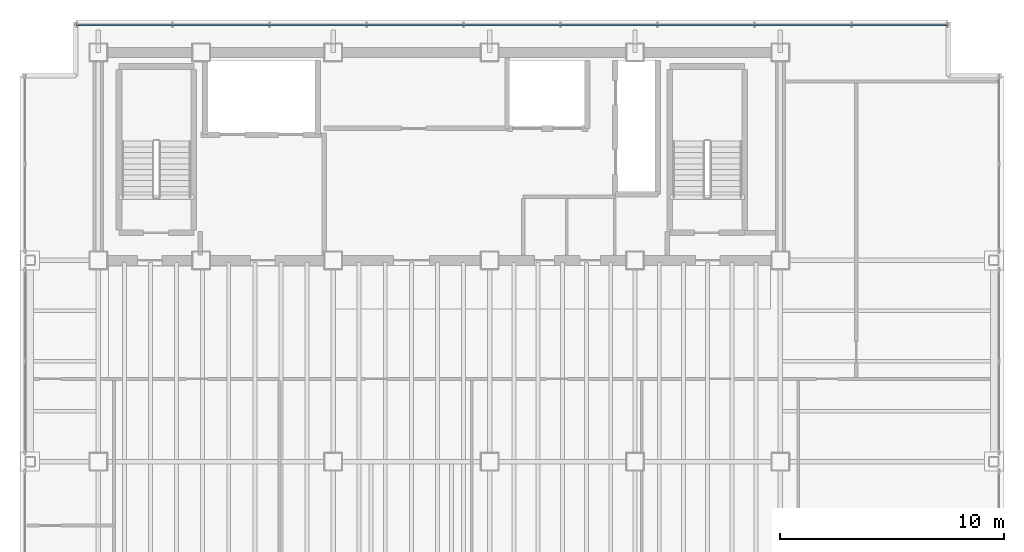
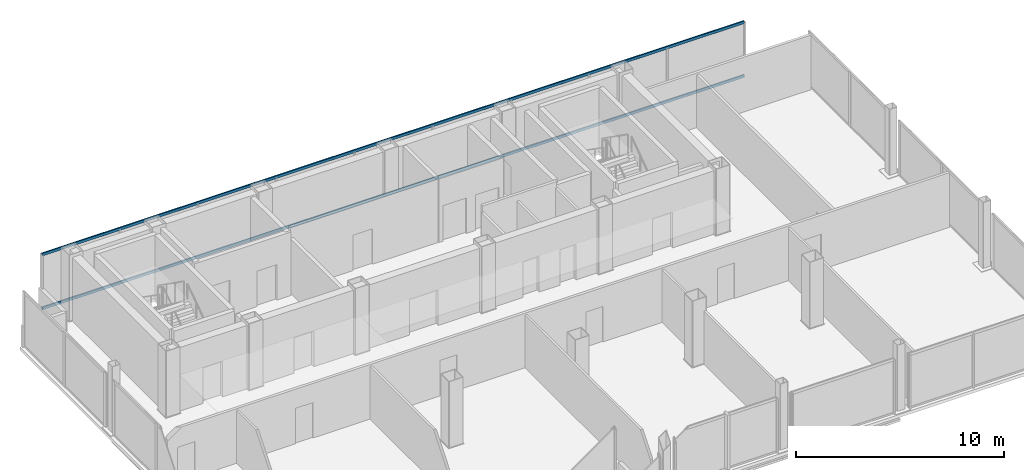
# One storey, part 8 of 15: 2 members, 1 element without a shape of its own.
"""IFC4 building model written with IfcOpenShell, lengths in metres."""

from ifc_helpers import new_model, si_unit, direction, frame, origin, origin_2d, place, context, subcontext, project, spatial, hollow_rectangle, extrude, material, material_profile, profile_set, type_object, element, aggregate, save


model = new_model("IFC4")

# Units and contexts
model_context = context("Model", 3, precision=1e-05, world=origin(), true_north=direction((0.0, 1.0)))
body_context = subcontext(model_context, "Body", "Model", "MODEL_VIEW")
ifc_project = project(units=[si_unit("LENGTHUNIT", "METRE"), si_unit("AREAUNIT", "SQUARE_METRE"), si_unit("VOLUMEUNIT", "CUBIC_METRE"), si_unit("PLANEANGLEUNIT", "RADIAN"), si_unit("MASSUNIT", "GRAM", prefix="KILO")], contexts=[model_context])

# Site, building, storey
site_placement = place(None, origin())
site = spatial("IfcSite", under=ifc_project, at=site_placement, CompositionType="ELEMENT")
building_placement = place(site_placement, origin())
building = spatial("IfcBuilding", under=site, at=building_placement, Name="Noeulbin Bourse Tower", CompositionType="ELEMENT")
storey_placement = place(building_placement, frame((0.0, 0.0, 215.0)))
storey = spatial("IfcBuildingStorey", under=building, at=storey_placement, Name="L53", CompositionType="ELEMENT", Elevation=215.0)

# Curtain wall, members
ifc_material_1 = material(Name="High-Selectivity Low-Iron Glazing", Category="glass")
curtain_wall_type = type_object("IfcCurtainWallType", Name="CW-SYS-4", PredefinedType="NOTDEFINED", material=ifc_material_1)
curtain_wall_placement = place(storey_placement, origin())
curtain_wall = element("IfcCurtainWall", 1, at=curtain_wall_placement, inside=storey, type_object=curtain_wall_type, Name="Unitised Curtain Wall CW-L53-N", PredefinedType="NOTDEFINED")
ifc_material_2 = material(Name="Anodised Aluminium 6063-T6", Category="aluminium")
ifc_material_profile = material_profile(ifc_material_2, hollow_rectangle(XDim=0.074951171875, YDim=0.159912109375, WallThickness=0.0048828125, InnerFilletRadius=0.00244140625, OuterFilletRadius=0.0048828125, at=origin_2d()), Name="ALU-TRAN-75x160x5", Category="LoadBearing")
ifc_profile_set = profile_set([ifc_material_profile], Name="Anodised Aluminium 6063-T6")
member_type = type_object("IfcMemberType", Name="CW-SYS-4-TRN", PredefinedType="USERDEFINED", material=ifc_profile_set)
member_1_placement = place(storey_placement, frame((12.530029296875, 39.530029296875, 0.010009765625), z_axis=(1.0, 0.0, 0.0), x_axis=(0.0, 1.0, 0.0)))
member_1 = element("IfcMember", 2, at=member_1_placement, type_object=member_type, Name="Curtain Wall Transom CW-L53-N-T00", ObjectType="TRANSOM", PredefinedType="USERDEFINED", context=body_context, shape_type="SweptSolid", body=[
    extrude(hollow_rectangle(XDim=0.074951171875, YDim=0.159912109375, WallThickness=0.0048828125, InnerFilletRadius=0.00244140625, OuterFilletRadius=0.0048828125, at=origin_2d()), origin(), (0.0, 0.0, 1.0), 38.93994140625),
])
member_2_placement = place(storey_placement, frame((12.530029296875, 39.530029296875, 3.169921875), z_axis=(1.0, 0.0, 0.0), x_axis=(0.0, 1.0, 0.0)))
member_2 = element("IfcMember", 3, at=member_2_placement, type_object=member_type, Name="Curtain Wall Transom CW-L53-N-T01", ObjectType="TRANSOM", PredefinedType="USERDEFINED", context=body_context, shape_type="SweptSolid", body=[
    extrude(hollow_rectangle(XDim=0.074951171875, YDim=0.159912109375, WallThickness=0.0048828125, InnerFilletRadius=0.00244140625, OuterFilletRadius=0.0048828125, at=origin_2d()), origin(), (0.0, 0.0, 1.0), 38.93994140625),
])
aggregate(curtain_wall, [member_1, member_2])

save(model, "model.ifc")
